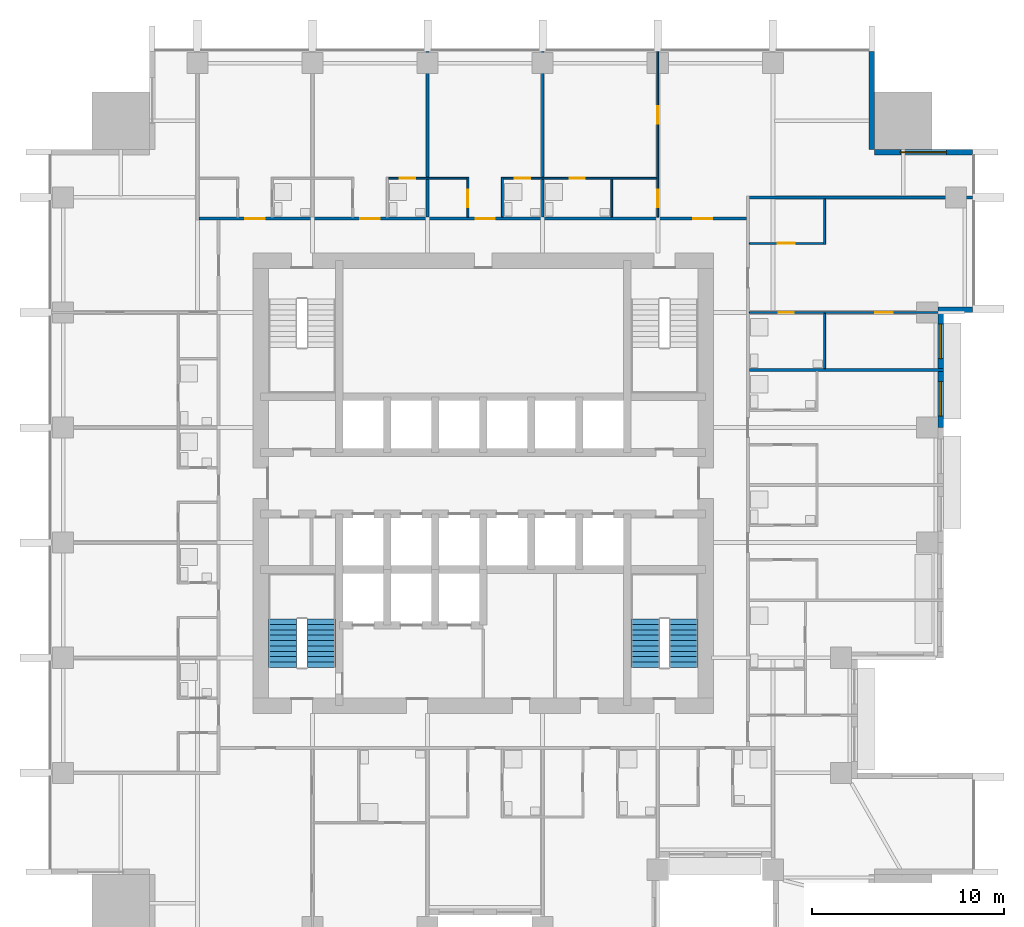
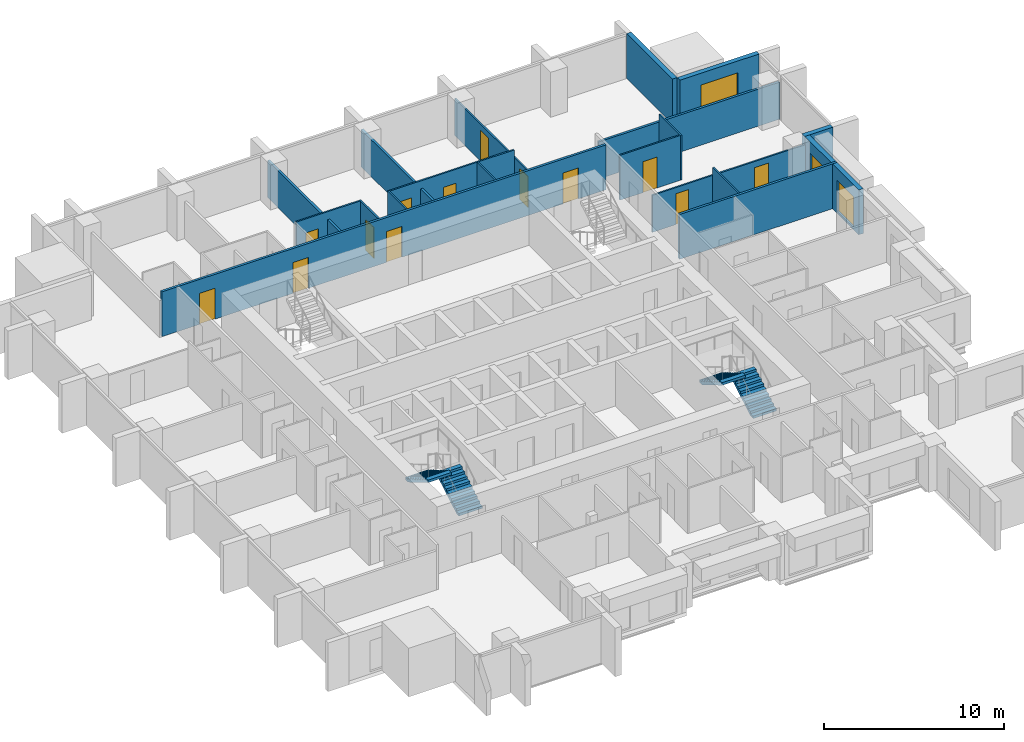
# One storey, part 8 of 11: 19 walls, 13 doors, 4 stair flights, 3 windows, 16 openings, 2 elements without a shape of their own.
"""IFC4 building model written with IfcOpenShell, lengths in metres."""

from ifc_helpers import new_model, si_unit, direction, frame, frame_2d, origin, place, context, subcontext, project, spatial, polyline, rectangle, outline, extrude, material, layer, layer_set, type_object, element, fill, aggregate, save


model = new_model("IFC4")

# Units and contexts
model_context = context("Model", 3, precision=1e-05, world=origin(), true_north=direction((0.0, 1.0)))
body_context = subcontext(model_context, "Body", "Model", "MODEL_VIEW")
ifc_project = project(units=[si_unit("LENGTHUNIT", "METRE"), si_unit("AREAUNIT", "SQUARE_METRE"), si_unit("VOLUMEUNIT", "CUBIC_METRE"), si_unit("PLANEANGLEUNIT", "RADIAN"), si_unit("MASSUNIT", "GRAM", prefix="KILO")], contexts=[model_context])

# Site, building, storey
site_placement = place(None, origin())
site = spatial("IfcSite", under=ifc_project, at=site_placement, CompositionType="ELEMENT")
building_placement = place(site_placement, origin())
building = spatial("IfcBuilding", under=site, at=building_placement, Name="Amberfall Residences", CompositionType="ELEMENT")
storey_placement = place(building_placement, frame((0.0, 0.0, 95.199951171875)))
storey = spatial("IfcBuildingStorey", under=building, at=storey_placement, Name="L25", CompositionType="ELEMENT", Elevation=95.199951171875)

# Wall
ifc_material_1 = material(Name="Pale stone cladding on insulated backing", Category="masonry")
ifc_layer_1 = layer(ifc_material_1, 0.300048828125)
ifc_layer_set_1 = layer_set([ifc_layer_1], Name="Bronze clad wall 300")
wall_type_1 = type_object("IfcWallType", Name="Bronze clad wall 300", PredefinedType="SOLIDWALL", material=ifc_layer_set_1)
wall_1_placement = place(storey_placement, frame((98.199951171875, 54.550048828125, 0.0), z_axis=(0.0, 0.0, 1.0), x_axis=(1.0, 0.0, 0.0)))
element("IfcWall", 1, at=wall_1_placement, inside=storey, type_object=wall_type_1, Name="External wall L25 E", PredefinedType="SOLIDWALL", context=body_context, shape_type="SweptSolid", body=[
    extrude(rectangle(XDim=1.800048828125, YDim=0.300048828125, at=frame_2d((0.89990234375, 0.0))), origin(), (0.0, 0.0, 1.0), 3.050048828125),
])

# Wall, opening, window
wall_2_placement = place(storey_placement, frame((100.0, 62.75, 0.0), z_axis=(0.0, 0.0, 1.0), x_axis=(-1.0, 0.0, 0.0)))
wall_2 = element("IfcWall", 2, at=wall_2_placement, inside=storey, type_object=wall_type_1, Name="External wall L25 NE", PredefinedType="SOLIDWALL", context=body_context, shape_type="SweptSolid", body=[
    extrude(rectangle(XDim=5.10009765625, YDim=0.300048828125, at=frame_2d((2.550048828125, 0.0))), origin(), (0.0, 0.0, 1.0), 3.050048828125),
])
opening_1_placement = place(wall_2_placement, frame((1.35009765625, 0.0, 0.14990234375)))
opening_1 = element("IfcOpeningElement", 3, at=opening_1_placement, cuts=wall_2, Name="Opening WN5", PredefinedType="OPENING", context=body_context, shape_type="SweptSolid", body=[
    extrude(rectangle(XDim=2.39990234375, YDim=2.10009765625, at=frame_2d((1.199951171875, 1.050048828125))), frame((0.0, 0.159912109375, 0.0), z_axis=(0.0, -1.0, 0.0), x_axis=(1.0, 0.0, 0.0)), (0.0, 0.0, 1.0), 0.320068359375),
])
ifc_material_2 = material(Name="Bronze aluminium framed glazing", Category="aluminium")
window_type_1 = type_object("IfcWindowType", Name="Glazed opening 2400 x 2100 bronze", PartitioningType="DOUBLE_PANEL_VERTICAL", PredefinedType="WINDOW", material=ifc_material_2)
window_1_placement = place(opening_1_placement, origin())
window_1 = element("IfcWindow", 4, at=window_1_placement, inside=storey, type_object=window_type_1, Name="Window L25 NE", OverallHeight=2.10009765625, OverallWidth=2.39990234375, PartitioningType="DOUBLE_PANEL_VERTICAL", PredefinedType="WINDOW", context=body_context, shape_type="SweptSolid", body=[
    extrude(rectangle(XDim=2.39990234375, YDim=2.10009765625, at=frame_2d((1.199951171875, 1.050048828125))), frame((0.0, 0.030029296875, 0.0), z_axis=(0.0, -1.0, 0.0), x_axis=(1.0, 0.0, 0.0)), (0.0, 0.0, 1.0), 0.06005859375),
])
fill(opening_1, window_1)

# Wall
wall_3_placement = place(storey_placement, frame((94.75, 62.89990234375, 0.0), z_axis=(0.0, 0.0, 1.0), x_axis=(0.0, 1.0, 0.0)))
element("IfcWall", 5, at=wall_3_placement, inside=storey, type_object=wall_type_1, Name="External wall L25 NE", PredefinedType="SOLIDWALL", context=body_context, shape_type="SweptSolid", body=[
    extrude(rectangle(XDim=5.10009765625, YDim=0.300048828125, at=frame_2d((2.550048828125, 0.0))), origin(), (0.0, 0.0, 1.0), 3.050048828125),
])

# Wall, openings, windows
wall_4_placement = place(storey_placement, frame((98.35009765625, 48.39990234375, 0.0), z_axis=(0.0, 0.0, 1.0), x_axis=(0.0, 1.0, 0.0)))
wall_4 = element("IfcWall", 6, at=wall_4_placement, inside=storey, type_object=wall_type_1, Name="Stone wall L25 E", PredefinedType="SOLIDWALL", context=body_context, shape_type="SweptSolid", body=[
    extrude(rectangle(XDim=6.0, YDim=0.300048828125, at=frame_2d((3.0, 0.0))), origin(), (0.0, 0.0, 1.0), 3.050048828125),
])
opening_2_placement = place(wall_4_placement, frame((0.60009765625, 0.0, 0.14990234375)))
opening_2 = element("IfcOpeningElement", 7, at=opening_2_placement, cuts=wall_4, Name="Opening WN6", PredefinedType="OPENING", context=body_context, shape_type="SweptSolid", body=[
    extrude(rectangle(XDim=1.800048828125, YDim=2.10009765625, at=frame_2d((0.89990234375, 1.050048828125))), frame((0.0, 0.159912109375, 0.0), z_axis=(0.0, -1.0, 0.0), x_axis=(1.0, 0.0, 0.0)), (0.0, 0.0, 1.0), 0.320068359375),
])
opening_3_placement = place(wall_4_placement, frame((3.60009765625, 0.0, 0.14990234375)))
opening_3 = element("IfcOpeningElement", 8, at=opening_3_placement, cuts=wall_4, Name="Opening WN6", PredefinedType="OPENING", context=body_context, shape_type="SweptSolid", body=[
    extrude(rectangle(XDim=1.800048828125, YDim=2.10009765625, at=frame_2d((0.89990234375, 1.050048828125))), frame((0.0, 0.159912109375, 0.0), z_axis=(0.0, -1.0, 0.0), x_axis=(1.0, 0.0, 0.0)), (0.0, 0.0, 1.0), 0.320068359375),
])
window_type_2 = type_object("IfcWindowType", Name="Glazed opening 1800 x 2100 bronze", PartitioningType="DOUBLE_PANEL_VERTICAL", PredefinedType="WINDOW", material=ifc_material_2)
window_2_placement = place(opening_2_placement, origin())
window_2 = element("IfcWindow", 9, at=window_2_placement, inside=storey, type_object=window_type_2, Name="Window L25 E", OverallHeight=2.10009765625, OverallWidth=1.800048828125, PartitioningType="DOUBLE_PANEL_VERTICAL", PredefinedType="WINDOW", context=body_context, shape_type="SweptSolid", body=[
    extrude(rectangle(XDim=1.800048828125, YDim=2.10009765625, at=frame_2d((0.89990234375, 1.050048828125))), frame((0.0, 0.030029296875, 0.0), z_axis=(0.0, -1.0, 0.0), x_axis=(1.0, 0.0, 0.0)), (0.0, 0.0, 1.0), 0.06005859375),
])
fill(opening_2, window_2)
window_3_placement = place(opening_3_placement, origin())
window_3 = element("IfcWindow", 10, at=window_3_placement, inside=storey, type_object=window_type_2, Name="Window L25 E", OverallHeight=2.10009765625, OverallWidth=1.800048828125, PartitioningType="DOUBLE_PANEL_VERTICAL", PredefinedType="WINDOW", context=body_context, shape_type="SweptSolid", body=[
    extrude(rectangle(XDim=1.800048828125, YDim=2.10009765625, at=frame_2d((0.89990234375, 1.050048828125))), frame((0.0, 0.030029296875, 0.0), z_axis=(0.0, -1.0, 0.0), x_axis=(1.0, 0.0, 0.0)), (0.0, 0.0, 1.0), 0.06005859375),
])
fill(opening_3, window_3)

# Wall, opening, door
ifc_material_3 = material(Name="Gypsum board on metal stud")
ifc_layer_2 = layer(ifc_material_3, 0.10009765625)
ifc_layer_set_2 = layer_set([ifc_layer_2], Name="Flat partition 100")
wall_type_2 = type_object("IfcWallType", Name="Flat partition 100", PredefinedType="PARTITIONING", material=ifc_layer_set_2)
wall_5_placement = place(storey_placement, frame((73.699951171875, 59.375, 0.0), z_axis=(0.0, 0.0, 1.0), x_axis=(0.0, 1.0, 0.0)))
wall_5 = element("IfcWall", 11, at=wall_5_placement, inside=storey, type_object=wall_type_2, Name="Partition 012", PredefinedType="PARTITIONING", context=body_context, shape_type="SweptSolid", body=[
    extrude(rectangle(XDim=2.074951171875, YDim=0.10009765625, at=frame_2d((1.03759765625, 0.0))), origin(), (0.0, 0.0, 1.0), 3.050048828125),
])
opening_4_placement = place(wall_5_placement, frame((0.52490234375, 0.0, 0.0)))
opening_4 = element("IfcOpeningElement", 12, at=opening_4_placement, cuts=wall_5, Name="Opening D41", PredefinedType="OPENING", context=body_context, shape_type="SweptSolid", body=[
    extrude(rectangle(XDim=0.89990234375, YDim=2.10009765625, at=frame_2d((0.449951171875, 1.050048828125))), frame((0.0, 0.06005859375, 0.0), z_axis=(0.0, -1.0, 0.0), x_axis=(1.0, 0.0, 0.0)), (0.0, 0.0, 1.0), 0.1201171875),
])
ifc_material_4 = material(Name="Timber", Category="wood")
door_type_1 = type_object("IfcDoorType", Name="Internal door 900 x 2100", OperationType="SINGLE_SWING_LEFT", PredefinedType="DOOR", material=ifc_material_4)
door_1_placement = place(opening_4_placement, origin())
door_1 = element("IfcDoor", 13, at=door_1_placement, inside=storey, type_object=door_type_1, Name="Door 2511 kitchen", OperationType="SINGLE_SWING_LEFT", OverallHeight=2.10009765625, OverallWidth=0.89990234375, PredefinedType="DOOR", context=body_context, shape_type="SweptSolid", body=[
    extrude(rectangle(XDim=0.89990234375, YDim=2.10009765625, at=frame_2d((0.449951171875, 1.050048828125))), frame((0.0, 0.02490234375, 0.0), z_axis=(0.0, -1.0, 0.0), x_axis=(1.0, 0.0, 0.0)), (0.0, 0.0, 1.0), 0.050048828125),
])
fill(opening_4, door_1)

# Walls
wall_6_placement = place(storey_placement, frame((75.5, 59.375, 0.0), z_axis=(0.0, 0.0, 1.0), x_axis=(0.0, 1.0, 0.0)))
element("IfcWall", 14, at=wall_6_placement, inside=storey, type_object=wall_type_2, Name="Partition 014", PredefinedType="PARTITIONING", context=body_context, shape_type="SweptSolid", body=[
    extrude(rectangle(XDim=2.074951171875, YDim=0.10009765625, at=frame_2d((1.03759765625, 0.0))), origin(), (0.0, 0.0, 1.0), 3.050048828125),
])
wall_7_placement = place(storey_placement, frame((81.199951171875, 59.375, 0.0), z_axis=(0.0, 0.0, 1.0), x_axis=(0.0, 1.0, 0.0)))
element("IfcWall", 15, at=wall_7_placement, inside=storey, type_object=wall_type_2, Name="Partition 016", PredefinedType="PARTITIONING", context=body_context, shape_type="SweptSolid", body=[
    extrude(rectangle(XDim=1.97509765625, YDim=0.10009765625, at=frame_2d((0.987548828125, 0.0))), origin(), (0.0, 0.0, 1.0), 3.050048828125),
])

# Wall, openings, doors
wall_8_placement = place(storey_placement, frame((83.60009765625, 59.375, 0.0), z_axis=(0.0, 0.0, 1.0), x_axis=(0.0, 1.0, 0.0)))
wall_8 = element("IfcWall", 16, at=wall_8_placement, inside=storey, type_object=wall_type_2, Name="Partition 018", PredefinedType="PARTITIONING", context=body_context, shape_type="SweptSolid", body=[
    extrude(rectangle(XDim=8.625, YDim=0.10009765625, at=frame_2d((4.3125, 0.0))), origin(), (0.0, 0.0, 1.0), 2.51611328125),
])
opening_5_placement = place(wall_8_placement, frame((0.52490234375, 0.0, 0.0)))
opening_5 = element("IfcOpeningElement", 17, at=opening_5_placement, cuts=wall_8, Name="Opening D41", PredefinedType="OPENING", context=body_context, shape_type="SweptSolid", body=[
    extrude(rectangle(XDim=0.89990234375, YDim=2.10009765625, at=frame_2d((0.449951171875, 1.050048828125))), frame((0.0, 0.06005859375, 0.0), z_axis=(0.0, -1.0, 0.0), x_axis=(1.0, 0.0, 0.0)), (0.0, 0.0, 1.0), 0.1201171875),
])
opening_6_placement = place(wall_8_placement, frame((4.875, 0.0, 0.0)))
opening_6 = element("IfcOpeningElement", 18, at=opening_6_placement, cuts=wall_8, Name="Opening D41", PredefinedType="OPENING", context=body_context, shape_type="SweptSolid", body=[
    extrude(rectangle(XDim=0.89990234375, YDim=2.10009765625, at=frame_2d((0.449951171875, 1.050048828125))), frame((0.0, 0.06005859375, 0.0), z_axis=(0.0, -1.0, 0.0), x_axis=(1.0, 0.0, 0.0)), (0.0, 0.0, 1.0), 0.1201171875),
])
door_2_placement = place(opening_5_placement, origin())
door_2 = element("IfcDoor", 19, at=door_2_placement, inside=storey, type_object=door_type_1, Name="Door 2512 kitchen", OperationType="SINGLE_SWING_LEFT", OverallHeight=2.10009765625, OverallWidth=0.89990234375, PredefinedType="DOOR", context=body_context, shape_type="SweptSolid", body=[
    extrude(rectangle(XDim=0.89990234375, YDim=2.10009765625, at=frame_2d((0.449951171875, 1.050048828125))), frame((0.0, 0.02490234375, 0.0), z_axis=(0.0, -1.0, 0.0), x_axis=(1.0, 0.0, 0.0)), (0.0, 0.0, 1.0), 0.050048828125),
])
fill(opening_5, door_2)
door_3_placement = place(opening_6_placement, origin())
door_3 = element("IfcDoor", 20, at=door_3_placement, inside=storey, type_object=door_type_1, Name="Door 2512 bedroom1", OperationType="SINGLE_SWING_LEFT", OverallHeight=2.10009765625, OverallWidth=0.89990234375, PredefinedType="DOOR", context=body_context, shape_type="SweptSolid", body=[
    extrude(rectangle(XDim=0.89990234375, YDim=2.10009765625, at=frame_2d((0.449951171875, 1.050048828125))), frame((0.0, 0.02490234375, 0.0), z_axis=(0.0, -1.0, 0.0), x_axis=(1.0, 0.0, 0.0)), (0.0, 0.0, 1.0), 0.050048828125),
])
fill(opening_6, door_3)

# Walls
wall_9_placement = place(storey_placement, frame((92.300048828125, 51.47509765625, 0.0), z_axis=(0.0, 0.0, 1.0), x_axis=(0.0, 1.0, 0.0)))
element("IfcWall", 21, at=wall_9_placement, inside=storey, type_object=wall_type_2, Name="Partition 025", PredefinedType="PARTITIONING", context=body_context, shape_type="SweptSolid", body=[
    extrude(rectangle(XDim=2.875, YDim=0.10009765625, at=frame_2d((1.4375, 0.0))), origin(), (0.0, 0.0, 1.0), 3.050048828125),
])
wall_10_placement = place(storey_placement, frame((92.300048828125, 57.949951171875, 0.0), z_axis=(0.0, 0.0, 1.0), x_axis=(0.0, 1.0, 0.0)))
element("IfcWall", 22, at=wall_10_placement, inside=storey, type_object=wall_type_2, Name="Partition 026", PredefinedType="PARTITIONING", context=body_context, shape_type="SweptSolid", body=[
    extrude(rectangle(XDim=2.375, YDim=0.10009765625, at=frame_2d((1.1875, 0.0))), origin(), (0.0, 0.0, 1.0), 3.050048828125),
])

# Wall, opening, door
wall_11_placement = place(storey_placement, frame((73.64990234375, 61.39990234375, 0.0), z_axis=(0.0, 0.0, 1.0), x_axis=(-1.0, 0.0, 0.0)))
wall_11 = element("IfcWall", 23, at=wall_11_placement, inside=storey, type_object=wall_type_2, Name="Partition 029", PredefinedType="PARTITIONING", context=body_context, shape_type="SweptSolid", body=[
    extrude(rectangle(XDim=4.099853515625, YDim=0.10009765625, at=frame_2d((2.0498046875, 0.0))), origin(), (0.0, 0.0, 1.0), 3.050048828125),
])
opening_7_placement = place(wall_11_placement, frame((2.699951171875, 0.0, 0.0)))
opening_7 = element("IfcOpeningElement", 24, at=opening_7_placement, cuts=wall_11, Name="Opening D42", PredefinedType="OPENING", context=body_context, shape_type="SweptSolid", body=[
    extrude(rectangle(XDim=0.800048828125, YDim=2.10009765625, at=frame_2d((0.39990234375, 1.050048828125))), frame((0.0, 0.06005859375, 0.0), z_axis=(0.0, -1.0, 0.0), x_axis=(1.0, 0.0, 0.0)), (0.0, 0.0, 1.0), 0.1201171875),
])
door_type_2 = type_object("IfcDoorType", Name="Bathroom door 800 x 2100", OperationType="SINGLE_SWING_LEFT", PredefinedType="DOOR", material=ifc_material_4)
door_4_placement = place(opening_7_placement, origin())
door_4 = element("IfcDoor", 25, at=door_4_placement, inside=storey, type_object=door_type_2, Name="Door 2510 bath1", OperationType="SINGLE_SWING_LEFT", OverallHeight=2.10009765625, OverallWidth=0.800048828125, PredefinedType="DOOR", context=body_context, shape_type="SweptSolid", body=[
    extrude(rectangle(XDim=0.800048828125, YDim=2.10009765625, at=frame_2d((0.39990234375, 1.050048828125))), frame((0.0, 0.02490234375, 0.0), z_axis=(0.0, -1.0, 0.0), x_axis=(1.0, 0.0, 0.0)), (0.0, 0.0, 1.0), 0.050048828125),
])
fill(opening_7, door_4)

# Wall, openings, doors
wall_12_placement = place(storey_placement, frame((83.550048828125, 61.39990234375, 0.0), z_axis=(0.0, 0.0, 1.0), x_axis=(-1.0, 0.0, 0.0)))
wall_12 = element("IfcWall", 26, at=wall_12_placement, inside=storey, type_object=wall_type_2, Name="Partition 030", PredefinedType="PARTITIONING", context=body_context, shape_type="SweptSolid", body=[
    extrude(rectangle(XDim=8.0, YDim=0.10009765625, at=frame_2d((4.0, 0.0))), origin(), (0.0, 0.0, 1.0), 3.050048828125),
])
opening_8_placement = place(wall_12_placement, frame((6.60009765625, 0.0, 0.0)))
opening_8 = element("IfcOpeningElement", 27, at=opening_8_placement, cuts=wall_12, Name="Opening D42", PredefinedType="OPENING", context=body_context, shape_type="SweptSolid", body=[
    extrude(rectangle(XDim=0.800048828125, YDim=2.10009765625, at=frame_2d((0.39990234375, 1.050048828125))), frame((0.0, 0.06005859375, 0.0), z_axis=(0.0, -1.0, 0.0), x_axis=(1.0, 0.0, 0.0)), (0.0, 0.0, 1.0), 0.1201171875),
])
opening_9_placement = place(wall_12_placement, frame((3.75, 0.0, 0.0)))
opening_9 = element("IfcOpeningElement", 28, at=opening_9_placement, cuts=wall_12, Name="Opening D42", PredefinedType="OPENING", context=body_context, shape_type="SweptSolid", body=[
    extrude(rectangle(XDim=0.800048828125, YDim=2.10009765625, at=frame_2d((0.39990234375, 1.050048828125))), frame((0.0, 0.06005859375, 0.0), z_axis=(0.0, -1.0, 0.0), x_axis=(1.0, 0.0, 0.0)), (0.0, 0.0, 1.0), 0.1201171875),
])
door_5_placement = place(opening_8_placement, origin())
door_5 = element("IfcDoor", 29, at=door_5_placement, inside=storey, type_object=door_type_2, Name="Door 2511 bath1", OperationType="SINGLE_SWING_LEFT", OverallHeight=2.10009765625, OverallWidth=0.800048828125, PredefinedType="DOOR", context=body_context, shape_type="SweptSolid", body=[
    extrude(rectangle(XDim=0.800048828125, YDim=2.10009765625, at=frame_2d((0.39990234375, 1.050048828125))), frame((0.0, 0.02490234375, 0.0), z_axis=(0.0, -1.0, 0.0), x_axis=(1.0, 0.0, 0.0)), (0.0, 0.0, 1.0), 0.050048828125),
])
fill(opening_8, door_5)
door_6_placement = place(opening_9_placement, origin())
door_6 = element("IfcDoor", 30, at=door_6_placement, inside=storey, type_object=door_type_2, Name="Door 2512 bath1", OperationType="SINGLE_SWING_LEFT", OverallHeight=2.10009765625, OverallWidth=0.800048828125, PredefinedType="DOOR", context=body_context, shape_type="SweptSolid", body=[
    extrude(rectangle(XDim=0.800048828125, YDim=2.10009765625, at=frame_2d((0.39990234375, 1.050048828125))), frame((0.0, 0.02490234375, 0.0), z_axis=(0.0, -1.0, 0.0), x_axis=(1.0, 0.0, 0.0)), (0.0, 0.0, 1.0), 0.050048828125),
])
fill(opening_9, door_6)

# Wall, opening, door
wall_13_placement = place(storey_placement, frame((88.375, 58.0, 0.0), z_axis=(0.0, 0.0, 1.0), x_axis=(1.0, 0.0, 0.0)))
wall_13 = element("IfcWall", 31, at=wall_13_placement, inside=storey, type_object=wall_type_2, Name="Partition 031", PredefinedType="PARTITIONING", context=body_context, shape_type="SweptSolid", body=[
    extrude(rectangle(XDim=3.875, YDim=0.10009765625, at=frame_2d((1.9375, 0.0))), origin(), (0.0, 0.0, 1.0), 3.050048828125),
])
opening_10_placement = place(wall_13_placement, frame((1.47509765625, 0.0, 0.0)))
opening_10 = element("IfcOpeningElement", 32, at=opening_10_placement, cuts=wall_13, Name="Opening D41", PredefinedType="OPENING", context=body_context, shape_type="SweptSolid", body=[
    extrude(rectangle(XDim=0.89990234375, YDim=2.10009765625, at=frame_2d((0.449951171875, 1.050048828125))), frame((0.0, 0.06005859375, 0.0), z_axis=(0.0, -1.0, 0.0), x_axis=(1.0, 0.0, 0.0)), (0.0, 0.0, 1.0), 0.1201171875),
])
door_7_placement = place(opening_10_placement, origin())
door_7 = element("IfcDoor", 33, at=door_7_placement, inside=storey, type_object=door_type_1, Name="Door 2508 kitchen", OperationType="SINGLE_SWING_LEFT", OverallHeight=2.10009765625, OverallWidth=0.89990234375, PredefinedType="DOOR", context=body_context, shape_type="SweptSolid", body=[
    extrude(rectangle(XDim=0.89990234375, YDim=2.10009765625, at=frame_2d((0.449951171875, 1.050048828125))), frame((0.0, 0.02490234375, 0.0), z_axis=(0.0, -1.0, 0.0), x_axis=(1.0, 0.0, 0.0)), (0.0, 0.0, 1.0), 0.050048828125),
])
fill(opening_10, door_7)

# Wall, openings, doors
wall_14_placement = place(storey_placement, frame((98.5, 54.39990234375, 0.0), z_axis=(0.0, 0.0, 1.0), x_axis=(-1.0, 0.0, 0.0)))
wall_14 = element("IfcWall", 34, at=wall_14_placement, inside=storey, type_object=wall_type_2, Name="Partition 033", PredefinedType="PARTITIONING", context=body_context, shape_type="SweptSolid", body=[
    extrude(rectangle(XDim=10.125, YDim=0.10009765625, at=frame_2d((5.0625, 0.0))), origin(), (0.0, 0.0, 1.0), 2.51611328125),
])
opening_11_placement = place(wall_14_placement, frame((2.64990234375, 0.0, 0.0)))
opening_11 = element("IfcOpeningElement", 35, at=opening_11_placement, cuts=wall_14, Name="Opening D41", PredefinedType="OPENING", context=body_context, shape_type="SweptSolid", body=[
    extrude(rectangle(XDim=0.89990234375, YDim=2.10009765625, at=frame_2d((0.449951171875, 1.050048828125))), frame((0.0, 0.06005859375, 0.0), z_axis=(0.0, -1.0, 0.0), x_axis=(1.0, 0.0, 0.0)), (0.0, 0.0, 1.0), 0.1201171875),
])
opening_12_placement = place(wall_14_placement, frame((7.800048828125, 0.0, 0.0)))
opening_12 = element("IfcOpeningElement", 36, at=opening_12_placement, cuts=wall_14, Name="Opening D42", PredefinedType="OPENING", context=body_context, shape_type="SweptSolid", body=[
    extrude(rectangle(XDim=0.800048828125, YDim=2.10009765625, at=frame_2d((0.39990234375, 1.050048828125))), frame((0.0, 0.06005859375, 0.0), z_axis=(0.0, -1.0, 0.0), x_axis=(1.0, 0.0, 0.0)), (0.0, 0.0, 1.0), 0.1201171875),
])
door_8_placement = place(opening_12_placement, origin())
door_8 = element("IfcDoor", 37, at=door_8_placement, inside=storey, type_object=door_type_2, Name="Door 2508 bath1", OperationType="SINGLE_SWING_LEFT", OverallHeight=2.10009765625, OverallWidth=0.800048828125, PredefinedType="DOOR", context=body_context, shape_type="SweptSolid", body=[
    extrude(rectangle(XDim=0.800048828125, YDim=2.10009765625, at=frame_2d((0.39990234375, 1.050048828125))), frame((0.0, 0.02490234375, 0.0), z_axis=(0.0, -1.0, 0.0), x_axis=(1.0, 0.0, 0.0)), (0.0, 0.0, 1.0), 0.050048828125),
])
fill(opening_12, door_8)
door_9_placement = place(opening_11_placement, origin())
door_9 = element("IfcDoor", 38, at=door_9_placement, inside=storey, type_object=door_type_1, Name="Door 2508 bedroom1", OperationType="SINGLE_SWING_LEFT", OverallHeight=2.10009765625, OverallWidth=0.89990234375, PredefinedType="DOOR", context=body_context, shape_type="SweptSolid", body=[
    extrude(rectangle(XDim=0.89990234375, YDim=2.10009765625, at=frame_2d((0.449951171875, 1.050048828125))), frame((0.0, 0.02490234375, 0.0), z_axis=(0.0, -1.0, 0.0), x_axis=(1.0, 0.0, 0.0)), (0.0, 0.0, 1.0), 0.050048828125),
])
fill(opening_11, door_9)

# Walls
ifc_material_5 = material(Name="Blockwork, plastered", Category="masonry")
ifc_layer_3 = layer(ifc_material_5, 0.14990234375)
ifc_layer_set_3 = layer_set([ifc_layer_3], Name="Flat separating wall 150")
wall_type_3 = type_object("IfcWallType", Name="Flat separating wall 150", PredefinedType="PARTITIONING", material=ifc_layer_set_3)
for number, where, z_axis, x_axis, name in (
    (39, (71.60009765625, 59.375, 0.0), (0.0, 0.0, 1.0), (0.0, 1.0, 0.0), "Separating wall 057"),
    (40, (77.60009765625, 59.375, 0.0), (0.0, 0.0, 1.0), (0.0, 1.0, 0.0), "Separating wall 059"),
):
    element("IfcWall", number, at=place(storey_placement, frame(where, z_axis=z_axis, x_axis=x_axis)), inside=storey, type_object=wall_type_3, Name=name, PredefinedType="PARTITIONING", context=body_context, shape_type="SweptSolid", body=[
        extrude(rectangle(XDim=8.625, YDim=0.14990234375, at=frame_2d((4.3125, 0.0))), origin(), (0.0, 0.0, 1.0), 2.51611328125),
    ])
wall_15_placement = place(storey_placement, frame((88.375, 60.39990234375, 0.0), z_axis=(0.0, 0.0, 1.0), x_axis=(1.0, 0.0, 0.0)))
element("IfcWall", 41, at=wall_15_placement, inside=storey, type_object=wall_type_3, Name="Separating wall 063", PredefinedType="PARTITIONING", context=body_context, shape_type="SweptSolid", body=[
    extrude(rectangle(XDim=11.625, YDim=0.14990234375, at=frame_2d((5.8125, 0.0))), origin(), (0.0, 0.0, 1.0), 2.51611328125),
])

# Wall, openings, doors
wall_16_placement = place(storey_placement, frame((59.675048828125, 59.300048828125, 0.0), z_axis=(0.0, 0.0, 1.0), x_axis=(1.0, 0.0, 0.0)))
wall_16 = element("IfcWall", 42, at=wall_16_placement, inside=storey, type_object=wall_type_3, Name="Separating wall 064", PredefinedType="PARTITIONING", context=body_context, shape_type="SweptSolid", body=[
    extrude(rectangle(XDim=28.550048828125, YDim=0.14990234375, at=frame_2d((14.27490234375, 0.0))), origin(), (0.0, 0.0, 1.0), 3.050048828125),
])
opening_13_placement = place(wall_16_placement, frame((2.425048828125, 0.0, 0.0)))
opening_13 = element("IfcOpeningElement", 43, at=opening_13_placement, cuts=wall_16, Name="Opening D40", PredefinedType="OPENING", context=body_context, shape_type="SweptSolid", body=[
    extrude(rectangle(XDim=1.0, YDim=2.10009765625, at=frame_2d((0.5, 1.050048828125))), frame((0.0, 0.0849609375, 0.0), z_axis=(0.0, -1.0, 0.0), x_axis=(1.0, 0.0, 0.0)), (0.0, 0.0, 1.0), 0.169921875),
])
opening_14_placement = place(wall_16_placement, frame((8.425048828125, 0.0, 0.0)))
opening_14 = element("IfcOpeningElement", 44, at=opening_14_placement, cuts=wall_16, Name="Opening D40", PredefinedType="OPENING", context=body_context, shape_type="SweptSolid", body=[
    extrude(rectangle(XDim=1.0, YDim=2.10009765625, at=frame_2d((0.5, 1.050048828125))), frame((0.0, 0.0849609375, 0.0), z_axis=(0.0, -1.0, 0.0), x_axis=(1.0, 0.0, 0.0)), (0.0, 0.0, 1.0), 0.169921875),
])
opening_15_placement = place(wall_16_placement, frame((14.425048828125, 0.0, 0.0)))
opening_15 = element("IfcOpeningElement", 45, at=opening_15_placement, cuts=wall_16, Name="Opening D40", PredefinedType="OPENING", context=body_context, shape_type="SweptSolid", body=[
    extrude(rectangle(XDim=1.0, YDim=2.10009765625, at=frame_2d((0.5, 1.050048828125))), frame((0.0, 0.0849609375, 0.0), z_axis=(0.0, -1.0, 0.0), x_axis=(1.0, 0.0, 0.0)), (0.0, 0.0, 1.0), 0.169921875),
])
opening_16_placement = place(wall_16_placement, frame((25.77490234375, 0.0, 0.0)))
opening_16 = element("IfcOpeningElement", 46, at=opening_16_placement, cuts=wall_16, Name="Opening D40", PredefinedType="OPENING", context=body_context, shape_type="SweptSolid", body=[
    extrude(rectangle(XDim=1.0, YDim=2.10009765625, at=frame_2d((0.5, 1.050048828125))), frame((0.0, 0.0849609375, 0.0), z_axis=(0.0, -1.0, 0.0), x_axis=(1.0, 0.0, 0.0)), (0.0, 0.0, 1.0), 0.169921875),
])
ifc_material_6 = material(Name="Timber, fire-rated", Category="wood")
door_type_3 = type_object("IfcDoorType", Name="Flat entrance door FD60 1000 x 2100", OperationType="SINGLE_SWING_LEFT", PredefinedType="DOOR", material=ifc_material_6)
door_10_placement = place(opening_13_placement, origin())
door_10 = element("IfcDoor", 47, at=door_10_placement, inside=storey, type_object=door_type_3, Name="Door 2509 entrance", OperationType="SINGLE_SWING_LEFT", OverallHeight=2.10009765625, OverallWidth=1.0, PredefinedType="DOOR", context=body_context, shape_type="SweptSolid", body=[
    extrude(rectangle(XDim=1.0, YDim=2.10009765625, at=frame_2d((0.5, 1.050048828125))), frame((0.0, 0.02490234375, 0.0), z_axis=(0.0, -1.0, 0.0), x_axis=(1.0, 0.0, 0.0)), (0.0, 0.0, 1.0), 0.050048828125),
])
fill(opening_13, door_10)
door_11_placement = place(opening_14_placement, origin())
door_11 = element("IfcDoor", 48, at=door_11_placement, inside=storey, type_object=door_type_3, Name="Door 2510 entrance", OperationType="SINGLE_SWING_LEFT", OverallHeight=2.10009765625, OverallWidth=1.0, PredefinedType="DOOR", context=body_context, shape_type="SweptSolid", body=[
    extrude(rectangle(XDim=1.0, YDim=2.10009765625, at=frame_2d((0.5, 1.050048828125))), frame((0.0, 0.02490234375, 0.0), z_axis=(0.0, -1.0, 0.0), x_axis=(1.0, 0.0, 0.0)), (0.0, 0.0, 1.0), 0.050048828125),
])
fill(opening_14, door_11)
door_12_placement = place(opening_15_placement, origin())
door_12 = element("IfcDoor", 49, at=door_12_placement, inside=storey, type_object=door_type_3, Name="Door 2511 entrance", OperationType="SINGLE_SWING_LEFT", OverallHeight=2.10009765625, OverallWidth=1.0, PredefinedType="DOOR", context=body_context, shape_type="SweptSolid", body=[
    extrude(rectangle(XDim=1.0, YDim=2.10009765625, at=frame_2d((0.5, 1.050048828125))), frame((0.0, 0.02490234375, 0.0), z_axis=(0.0, -1.0, 0.0), x_axis=(1.0, 0.0, 0.0)), (0.0, 0.0, 1.0), 0.050048828125),
])
fill(opening_15, door_12)
door_13_placement = place(opening_16_placement, origin())
door_13 = element("IfcDoor", 50, at=door_13_placement, inside=storey, type_object=door_type_3, Name="Door 2512 entrance", OperationType="SINGLE_SWING_LEFT", OverallHeight=2.10009765625, OverallWidth=1.0, PredefinedType="DOOR", context=body_context, shape_type="SweptSolid", body=[
    extrude(rectangle(XDim=1.0, YDim=2.10009765625, at=frame_2d((0.5, 1.050048828125))), frame((0.0, 0.02490234375, 0.0), z_axis=(0.0, -1.0, 0.0), x_axis=(1.0, 0.0, 0.0)), (0.0, 0.0, 1.0), 0.050048828125),
])
fill(opening_16, door_13)

# Wall
wall_17_placement = place(storey_placement, frame((88.375, 51.39990234375, 0.0), z_axis=(0.0, 0.0, 1.0), x_axis=(1.0, 0.0, 0.0)))
element("IfcWall", 51, at=wall_17_placement, inside=storey, type_object=wall_type_3, Name="Separating wall 065", PredefinedType="PARTITIONING", context=body_context, shape_type="SweptSolid", body=[
    extrude(rectangle(XDim=10.125, YDim=0.14990234375, at=frame_2d((5.0625, 0.0))), origin(), (0.0, 0.0, 1.0), 3.050048828125),
])

# Stair, stair flights
ifc_material_7 = material(Name="Concrete C40", Category="concrete")
stair_type = type_object("IfcStairType", Name="Exit stair 20 risers 165.0 mm", PredefinedType="HALF_TURN_STAIR", material=ifc_material_7)
stair_1_placement = place(storey_placement, origin())
stair_1 = element("IfcStair", 52, at=stair_1_placement, inside=storey, type_object=stair_type, Name="L25 Exit stair 1", PredefinedType="HALF_TURN_STAIR")
stair_flight_type = type_object("IfcStairFlightType", Name="Stair flight 10 risers 165.0 mm", PredefinedType="STRAIGHT", material=ifc_material_7)
stair_flight_1_placement = place(storey_placement, frame((66.050048828125, 35.89990234375, 0.0), z_axis=(0.0, 0.0, 1.0), x_axis=(0.0, 1.0, 0.0)))
stair_flight_1 = element("IfcStairFlight", 53, at=stair_flight_1_placement, type_object=stair_flight_type, Name="ST3 flight 1", NumberOfRisers=10, NumberOfTreads=9, PredefinedType="STRAIGHT", RiserHeight=0.165, TreadLength=0.28, context=body_context, shape_type="SweptSolid", body=[
    extrude(outline(polyline([(0.0, 0.0), (0.0, 0.1650390625), (0.280029296875, 0.1650390625), (0.280029296875, 0.330078125), (0.56005859375, 0.330078125), (0.56005859375, 0.4951171875), (0.840087890625, 0.4951171875), (0.840087890625, 0.659912109375), (1.1201171875, 0.659912109375), (1.1201171875, 0.824951171875), (1.39990234375, 0.824951171875), (1.39990234375, 0.989990234375), (1.679931640625, 0.989990234375), (1.679931640625, 1.155029296875), (1.9599609375, 1.155029296875), (1.9599609375, 1.320068359375), (2.239990234375, 1.320068359375), (2.239990234375, 1.485107421875), (2.52001953125, 1.485107421875), (2.52001953125, 1.64990234375), (2.52001953125, 1.31103515625), (0.295166015625, 0.0), (0.0, 0.0)])), frame((0.0, 0.75, 0.0), z_axis=(0.0, -1.0, 0.0), x_axis=(1.0, 0.0, 0.0)), (0.0, 0.0, 1.0), 1.5),
])
stair_flight_2_placement = place(storey_placement, frame((64.050048828125, 38.419921875, 1.650146484375), z_axis=(0.0, 0.0, 1.0), x_axis=(0.0, -1.0, 0.0)))
stair_flight_2 = element("IfcStairFlight", 54, at=stair_flight_2_placement, type_object=stair_flight_type, Name="ST3 flight 2", NumberOfRisers=10, NumberOfTreads=9, PredefinedType="STRAIGHT", RiserHeight=0.165, TreadLength=0.28, context=body_context, shape_type="SweptSolid", body=[
    extrude(outline(polyline([(0.0, 0.0), (0.0, 0.1650390625), (0.280029296875, 0.1650390625), (0.280029296875, 0.330078125), (0.56005859375, 0.330078125), (0.56005859375, 0.4951171875), (0.840087890625, 0.4951171875), (0.840087890625, 0.659912109375), (1.1201171875, 0.659912109375), (1.1201171875, 0.824951171875), (1.39990234375, 0.824951171875), (1.39990234375, 0.989990234375), (1.679931640625, 0.989990234375), (1.679931640625, 1.155029296875), (1.9599609375, 1.155029296875), (1.9599609375, 1.320068359375), (2.239990234375, 1.320068359375), (2.239990234375, 1.485107421875), (2.52001953125, 1.485107421875), (2.52001953125, 1.64990234375), (2.52001953125, 1.31103515625), (0.295166015625, 0.0), (0.0, 0.0)])), frame((0.0, 0.75, 0.0), z_axis=(0.0, -1.0, 0.0), x_axis=(1.0, 0.0, 0.0)), (0.0, 0.0, 1.0), 1.5),
])
aggregate(stair_1, [stair_flight_1, stair_flight_2])

stair_2_placement = place(storey_placement, origin())
stair_2 = element("IfcStair", 55, at=stair_2_placement, inside=storey, type_object=stair_type, Name="L25 Exit stair 2", PredefinedType="HALF_TURN_STAIR")
stair_flight_3_placement = place(storey_placement, frame((84.949951171875, 35.89990234375, 0.0), z_axis=(0.0, 0.0, 1.0), x_axis=(0.0, 1.0, 0.0)))
stair_flight_3 = element("IfcStairFlight", 56, at=stair_flight_3_placement, type_object=stair_flight_type, Name="ST3 flight 1", NumberOfRisers=10, NumberOfTreads=9, PredefinedType="STRAIGHT", RiserHeight=0.165, TreadLength=0.28, context=body_context, shape_type="SweptSolid", body=[
    extrude(outline(polyline([(0.0, 0.0), (0.0, 0.1650390625), (0.280029296875, 0.1650390625), (0.280029296875, 0.330078125), (0.56005859375, 0.330078125), (0.56005859375, 0.4951171875), (0.840087890625, 0.4951171875), (0.840087890625, 0.659912109375), (1.1201171875, 0.659912109375), (1.1201171875, 0.824951171875), (1.39990234375, 0.824951171875), (1.39990234375, 0.989990234375), (1.679931640625, 0.989990234375), (1.679931640625, 1.155029296875), (1.9599609375, 1.155029296875), (1.9599609375, 1.320068359375), (2.239990234375, 1.320068359375), (2.239990234375, 1.485107421875), (2.52001953125, 1.485107421875), (2.52001953125, 1.64990234375), (2.52001953125, 1.31103515625), (0.295166015625, 0.0), (0.0, 0.0)])), frame((0.0, 0.75, 0.0), z_axis=(0.0, -1.0, 0.0), x_axis=(1.0, 0.0, 0.0)), (0.0, 0.0, 1.0), 1.5),
])
stair_flight_4_placement = place(storey_placement, frame((82.949951171875, 38.419921875, 1.650146484375), z_axis=(0.0, 0.0, 1.0), x_axis=(0.0, -1.0, 0.0)))
stair_flight_4 = element("IfcStairFlight", 57, at=stair_flight_4_placement, type_object=stair_flight_type, Name="ST3 flight 2", NumberOfRisers=10, NumberOfTreads=9, PredefinedType="STRAIGHT", RiserHeight=0.165, TreadLength=0.28, context=body_context, shape_type="SweptSolid", body=[
    extrude(outline(polyline([(0.0, 0.0), (0.0, 0.1650390625), (0.280029296875, 0.1650390625), (0.280029296875, 0.330078125), (0.56005859375, 0.330078125), (0.56005859375, 0.4951171875), (0.840087890625, 0.4951171875), (0.840087890625, 0.659912109375), (1.1201171875, 0.659912109375), (1.1201171875, 0.824951171875), (1.39990234375, 0.824951171875), (1.39990234375, 0.989990234375), (1.679931640625, 0.989990234375), (1.679931640625, 1.155029296875), (1.9599609375, 1.155029296875), (1.9599609375, 1.320068359375), (2.239990234375, 1.320068359375), (2.239990234375, 1.485107421875), (2.52001953125, 1.485107421875), (2.52001953125, 1.64990234375), (2.52001953125, 1.31103515625), (0.295166015625, 0.0), (0.0, 0.0)])), frame((0.0, 0.75, 0.0), z_axis=(0.0, -1.0, 0.0), x_axis=(1.0, 0.0, 0.0)), (0.0, 0.0, 1.0), 1.5),
])
aggregate(stair_2, [stair_flight_3, stair_flight_4])

save(model, "model.ifc")
